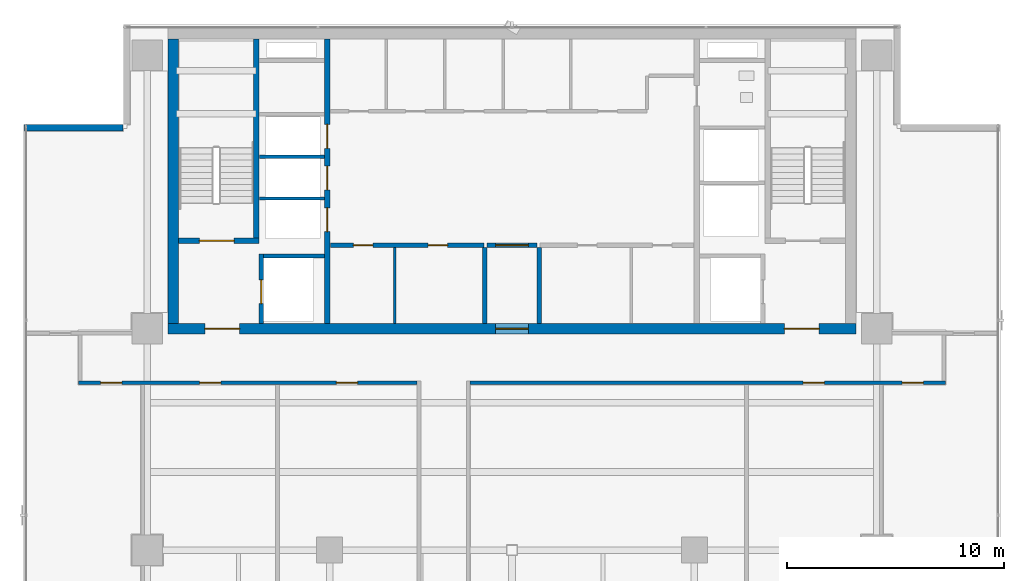
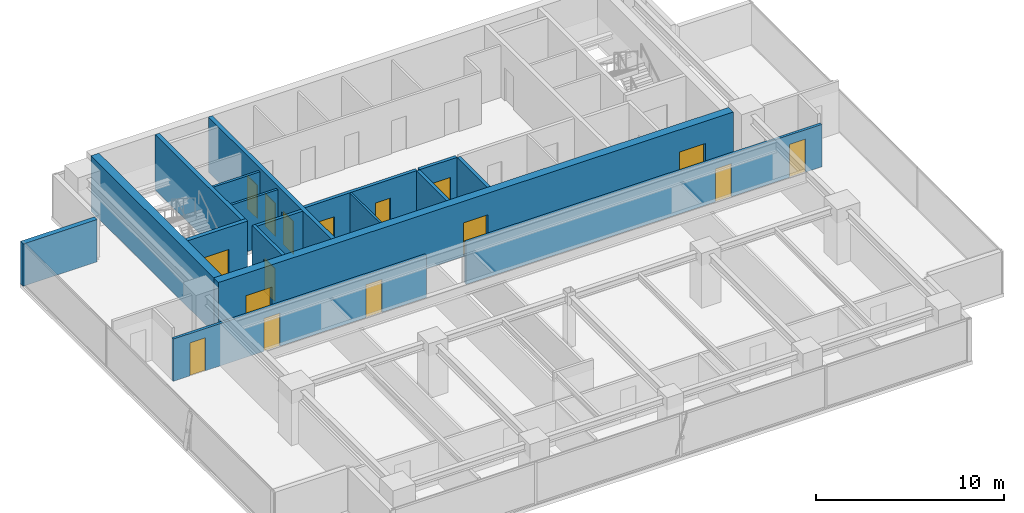
# One storey, part 20 of 26: 17 walls, 16 doors, 16 openings.
"""IFC4 building model written with IfcOpenShell, lengths in metres."""

from ifc_helpers import new_model, si_unit, direction, frame, frame_2d, origin, place, context, subcontext, project, spatial, rectangle, extrude, source, transform, mapped, material, layer, layer_set, type_object, element, fill, save


model = new_model("IFC4")

# Units and contexts
model_context = context("Model", 3, precision=1e-05, world=origin(), true_north=direction((0.0, 1.0)))
body_context = subcontext(model_context, "Body", "Model", "MODEL_VIEW")
ifc_project = project(units=[si_unit("LENGTHUNIT", "METRE"), si_unit("AREAUNIT", "SQUARE_METRE"), si_unit("VOLUMEUNIT", "CUBIC_METRE"), si_unit("PLANEANGLEUNIT", "RADIAN"), si_unit("MASSUNIT", "GRAM", prefix="KILO")], contexts=[model_context])

# Site, building, storey
site_placement = place(None, origin())
site = spatial("IfcSite", under=ifc_project, at=site_placement, CompositionType="ELEMENT")
building_placement = place(site_placement, origin())
building = spatial("IfcBuilding", under=site, at=building_placement, Name="Sumidabori Civic Tower", CompositionType="ELEMENT")
storey_placement = place(building_placement, frame((0.0, 0.0, 254.0)))
storey = spatial("IfcBuildingStorey", under=building, at=storey_placement, Name="L66", CompositionType="ELEMENT", Elevation=254.0)

# Wall
ifc_material_1 = material(Name="Concrete C50/60", Category="concrete")
ifc_layer_1 = layer(ifc_material_1, 0.199951171875, Name="Concrete C50/60")
ifc_layer_set_1 = layer_set([ifc_layer_1], Name="Concrete C50/60")
wall_type_1 = type_object("IfcWallType", Name="WL-SHAFT-200", PredefinedType="SHEAR", material=ifc_layer_set_1)
shared_shape_1 = source(origin(), body_context, "Body", "SweptSolid", [
    extrude(rectangle(XDim=2.824951171875, YDim=0.199951171875, at=frame_2d((1.41259765625, 0.0))), origin(), (0.0, 0.0, 1.0), 3.60009765625),
])
wall_1_placement = place(storey_placement, frame((-11.449951171875, 13.550048828125, 0.0), z_axis=(0.0, 0.0, 1.0), x_axis=(1.0, 0.0, 0.0)))
element("IfcWall", 1, at=wall_1_placement, inside=storey, type_object=wall_type_1, Name="Core Shear Wall L66 EL1-N", PredefinedType="SHEAR", context=body_context, shape_type="MappedRepresentation", body=[
    mapped(shared_shape_1, transform((0.0, 0.0, 0.0), x_axis=(1.0, 0.0, 0.0), y_axis=(0.0, 1.0, 0.0), z_axis=(0.0, 0.0, 1.0), scale=1.0)),
])

# Wall, openings, doors
ifc_layer_2 = layer(ifc_material_1, 0.5, Name="Concrete C50/60")
ifc_layer_set_2 = layer_set([ifc_layer_2], Name="Concrete C50/60")
wall_type_2 = type_object("IfcWallType", Name="WL-CORE-500", PredefinedType="SHEAR", material=ifc_layer_set_2)
shared_shape_2 = source(origin(), body_context, "Body", "SweptSolid", [
    extrude(rectangle(XDim=31.7001953125, YDim=0.5, at=frame_2d((15.85009765625, 0.0))), origin(), (0.0, 0.0, 1.0), 3.60009765625),
])
wall_2_placement = place(storey_placement, frame((-15.85009765625, 10.199951171875, 0.0), z_axis=(0.0, 0.0, 1.0), x_axis=(1.0, 0.0, 0.0)))
wall_2 = element("IfcWall", 2, at=wall_2_placement, inside=storey, type_object=wall_type_2, Name="Core Shear Wall L66 S", PredefinedType="SHEAR", context=body_context, shape_type="MappedRepresentation", body=[
    mapped(shared_shape_2, transform((0.0, 0.0, 0.0), x_axis=(1.0, 0.0, 0.0), y_axis=(0.0, 1.0, 0.0), z_axis=(0.0, 0.0, 1.0), scale=1.0)),
])
opening_1_placement = place(wall_2_placement, frame((1.699951171875, 0.0, 0.0)))
opening_1 = element("IfcOpeningElement", 3, at=opening_1_placement, cuts=wall_2, Name="Opening DR-FD4", PredefinedType="OPENING", context=body_context, shape_type="SweptSolid", body=[
    extrude(rectangle(XDim=1.60009765625, YDim=2.14990234375, at=frame_2d((0.800048828125, 1.074951171875))), frame((0.0, 0.261962890625, 0.0), z_axis=(0.0, -1.0, 0.0), x_axis=(1.0, 0.0, 0.0)), (0.0, 0.0, 1.0), 0.52392578125),
])
opening_2_placement = place(wall_2_placement, frame((28.39990234375, 0.0, 0.0)))
opening_2 = element("IfcOpeningElement", 4, at=opening_2_placement, cuts=wall_2, Name="Opening DR-FD4", PredefinedType="OPENING", context=body_context, shape_type="SweptSolid", body=[
    extrude(rectangle(XDim=1.60009765625, YDim=2.14990234375, at=frame_2d((0.800048828125, 1.074951171875))), frame((0.0, 0.261962890625, 0.0), z_axis=(0.0, -1.0, 0.0), x_axis=(1.0, 0.0, 0.0)), (0.0, 0.0, 1.0), 0.52392578125),
])
opening_3_placement = place(wall_2_placement, frame((15.10009765625, 0.0, 0.0)))
opening_3 = element("IfcOpeningElement", 5, at=opening_3_placement, cuts=wall_2, Name="Opening DR-FD3", PredefinedType="OPENING", context=body_context, shape_type="SweptSolid", body=[
    extrude(rectangle(XDim=1.5, YDim=2.199951171875, at=frame_2d((0.75, 1.10009765625))), frame((0.0, 0.261962890625, 0.0), z_axis=(0.0, -1.0, 0.0), x_axis=(1.0, 0.0, 0.0)), (0.0, 0.0, 1.0), 0.52392578125),
])
ifc_material_2 = material(Name="Steel SN490", Category="steel")
door_type_1 = type_object("IfcDoorType", Name="DR-FD4", OperationType="DOUBLE_DOOR_SINGLE_SWING", PredefinedType="DOOR", material=ifc_material_2)
shared_shape_3 = source(origin(), body_context, "Body", "SweptSolid", [
    extrude(rectangle(XDim=1.60009765625, YDim=2.14990234375, at=frame_2d((0.800048828125, 1.074951171875))), frame((0.0, 0.02490234375, 0.0), z_axis=(0.0, -1.0, 0.0), x_axis=(1.0, 0.0, 0.0)), (0.0, 0.0, 1.0), 0.050048828125),
])
door_1_placement = place(opening_1_placement, origin())
door_1 = element("IfcDoor", 6, at=door_1_placement, inside=storey, type_object=door_type_1, Name="Door DR:L66:ELOB-W", OperationType="DOUBLE_DOOR_SINGLE_SWING", OverallHeight=2.14990234375, OverallWidth=1.60009765625, PredefinedType="DOOR", context=body_context, shape_type="MappedRepresentation", body=[
    mapped(shared_shape_3, transform((0.0, 0.0, 0.0), x_axis=(1.0, 0.0, 0.0), y_axis=(0.0, 1.0, 0.0), z_axis=(0.0, 0.0, 1.0), scale=1.0)),
])
fill(opening_1, door_1)
door_2_placement = place(opening_2_placement, origin())
door_2 = element("IfcDoor", 7, at=door_2_placement, inside=storey, type_object=door_type_1, Name="Door DR:L66:ELOB-E", OperationType="DOUBLE_DOOR_SINGLE_SWING", OverallHeight=2.14990234375, OverallWidth=1.60009765625, PredefinedType="DOOR", context=body_context, shape_type="MappedRepresentation", body=[
    mapped(shared_shape_3, transform((0.0, 0.0, 0.0), x_axis=(1.0, 0.0, 0.0), y_axis=(0.0, 1.0, 0.0), z_axis=(0.0, 0.0, 1.0), scale=1.0)),
])
fill(opening_2, door_2)
door_type_2 = type_object("IfcDoorType", Name="DR-FD-DBL", OperationType="DOUBLE_DOOR_SINGLE_SWING", PredefinedType="DOOR", material=ifc_material_2)
shared_shape_4 = source(origin(), body_context, "Body", "SweptSolid", [
    extrude(rectangle(XDim=1.5, YDim=2.199951171875, at=frame_2d((0.75, 1.10009765625))), frame((0.0, 0.02490234375, 0.0), z_axis=(0.0, -1.0, 0.0), x_axis=(1.0, 0.0, 0.0)), (0.0, 0.0, 1.0), 0.050048828125),
])
door_3_placement = place(opening_3_placement, origin())
door_3 = element("IfcDoor", 8, at=door_3_placement, inside=storey, type_object=door_type_2, Name="Door DR:L66:THROAT-OUT", OperationType="DOUBLE_DOOR_SINGLE_SWING", OverallHeight=2.199951171875, OverallWidth=1.5, PredefinedType="DOOR", context=body_context, shape_type="MappedRepresentation", body=[
    mapped(shared_shape_4, transform((0.0, 0.0, 0.0), x_axis=(1.0, 0.0, 0.0), y_axis=(0.0, 1.0, 0.0), z_axis=(0.0, 0.0, 1.0), scale=1.0)),
])
fill(opening_3, door_3)

# Wall
shared_shape_5 = source(origin(), body_context, "Body", "SweptSolid", [
    extrude(rectangle(XDim=13.10009765625, YDim=0.5, at=frame_2d((6.550048828125, 0.0))), origin(), (0.0, 0.0, 1.0), 3.60009765625),
])
wall_3_placement = place(storey_placement, frame((-15.60009765625, 10.449951171875, 0.0), z_axis=(0.0, 0.0, 1.0), x_axis=(0.0, 1.0, 0.0)))
element("IfcWall", 9, at=wall_3_placement, inside=storey, type_object=wall_type_2, Name="Core Shear Wall L66 W", PredefinedType="SHEAR", context=body_context, shape_type="MappedRepresentation", body=[
    mapped(shared_shape_5, transform((0.0, 0.0, 0.0), x_axis=(1.0, 0.0, 0.0), y_axis=(0.0, 1.0, 0.0), z_axis=(0.0, 0.0, 1.0), scale=1.0)),
])

# Wall, openings, doors
ifc_layer_3 = layer(ifc_material_1, 0.25, Name="Concrete C50/60")
ifc_layer_set_3 = layer_set([ifc_layer_3], Name="Concrete C50/60")
wall_type_3 = type_object("IfcWallType", Name="WL-SHAFT-250", PredefinedType="SHEAR", material=ifc_layer_set_3)
shared_shape_6 = source(origin(), body_context, "Body", "SweptSolid", [
    extrude(rectangle(XDim=13.10009765625, YDim=0.25, at=frame_2d((6.550048828125, 0.0))), origin(), (0.0, 0.0, 1.0), 3.60009765625),
])
wall_4_placement = place(storey_placement, frame((-8.5, 10.449951171875, 0.0), z_axis=(0.0, 0.0, 1.0), x_axis=(0.0, 1.0, 0.0)))
wall_4 = element("IfcWall", 10, at=wall_4_placement, inside=storey, type_object=wall_type_3, Name="Core Shear Wall L66 WEB-W", PredefinedType="SHEAR", context=body_context, shape_type="MappedRepresentation", body=[
    mapped(shared_shape_6, transform((0.0, 0.0, 0.0), x_axis=(1.0, 0.0, 0.0), y_axis=(0.0, 1.0, 0.0), z_axis=(0.0, 0.0, 1.0), scale=1.0)),
])
opening_4_placement = place(wall_4_placement, frame((4.219970703125, 0.0, 0.0)))
opening_4 = element("IfcOpeningElement", 11, at=opening_4_placement, cuts=wall_4, Name="Opening LD-1", PredefinedType="OPENING", context=body_context, shape_type="SweptSolid", body=[
    extrude(rectangle(XDim=1.10009765625, YDim=2.14990234375, at=frame_2d((0.550048828125, 1.074951171875))), frame((0.0, 0.136962890625, 0.0), z_axis=(0.0, -1.0, 0.0), x_axis=(1.0, 0.0, 0.0)), (0.0, 0.0, 1.0), 0.27392578125),
])
opening_5_placement = place(wall_4_placement, frame((6.139892578125, 0.0, 0.0)))
opening_5 = element("IfcOpeningElement", 12, at=opening_5_placement, cuts=wall_4, Name="Opening LD-1", PredefinedType="OPENING", context=body_context, shape_type="SweptSolid", body=[
    extrude(rectangle(XDim=1.10009765625, YDim=2.14990234375, at=frame_2d((0.550048828125, 1.074951171875))), frame((0.0, 0.136962890625, 0.0), z_axis=(0.0, -1.0, 0.0), x_axis=(1.0, 0.0, 0.0)), (0.0, 0.0, 1.0), 0.27392578125),
])
opening_6_placement = place(wall_4_placement, frame((8.06005859375, 0.0, 0.0)))
opening_6 = element("IfcOpeningElement", 13, at=opening_6_placement, cuts=wall_4, Name="Opening LD-1", PredefinedType="OPENING", context=body_context, shape_type="SweptSolid", body=[
    extrude(rectangle(XDim=1.10009765625, YDim=2.14990234375, at=frame_2d((0.550048828125, 1.074951171875))), frame((0.0, 0.136962890625, 0.0), z_axis=(0.0, -1.0, 0.0), x_axis=(1.0, 0.0, 0.0)), (0.0, 0.0, 1.0), 0.27392578125),
])
ifc_material_3 = material(Name="Stainless Steel Hairline Finish", Category="steel")
door_type_3 = type_object("IfcDoorType", Name="DR-LD1", OperationType="DOUBLE_DOOR_SLIDING", PredefinedType="DOOR", material=ifc_material_3)
shared_shape_7 = source(origin(), body_context, "Body", "SweptSolid", [
    extrude(rectangle(XDim=1.10009765625, YDim=2.14990234375, at=frame_2d((0.550048828125, 1.074951171875))), frame((0.0, 0.02490234375, 0.0), z_axis=(0.0, -1.0, 0.0), x_axis=(1.0, 0.0, 0.0)), (0.0, 0.0, 1.0), 0.050048828125),
])
door_4_placement = place(opening_4_placement, origin())
door_4 = element("IfcDoor", 14, at=door_4_placement, inside=storey, type_object=door_type_3, Name="Door DR:L66:LD-PLH1", OperationType="DOUBLE_DOOR_SLIDING", OverallHeight=2.14990234375, OverallWidth=1.10009765625, PredefinedType="DOOR", context=body_context, shape_type="MappedRepresentation", body=[
    mapped(shared_shape_7, transform((0.0, 0.0, 0.0), x_axis=(1.0, 0.0, 0.0), y_axis=(0.0, 1.0, 0.0), z_axis=(0.0, 0.0, 1.0), scale=1.0)),
])
fill(opening_4, door_4)
door_5_placement = place(opening_5_placement, origin())
door_5 = element("IfcDoor", 15, at=door_5_placement, inside=storey, type_object=door_type_3, Name="Door DR:L66:LD-PLH2", OperationType="DOUBLE_DOOR_SLIDING", OverallHeight=2.14990234375, OverallWidth=1.10009765625, PredefinedType="DOOR", context=body_context, shape_type="MappedRepresentation", body=[
    mapped(shared_shape_7, transform((0.0, 0.0, 0.0), x_axis=(1.0, 0.0, 0.0), y_axis=(0.0, 1.0, 0.0), z_axis=(0.0, 0.0, 1.0), scale=1.0)),
])
fill(opening_5, door_5)
door_6_placement = place(opening_6_placement, origin())
door_6 = element("IfcDoor", 16, at=door_6_placement, inside=storey, type_object=door_type_3, Name="Door DR:L66:LD-PLH3", OperationType="DOUBLE_DOOR_SLIDING", OverallHeight=2.14990234375, OverallWidth=1.10009765625, PredefinedType="DOOR", context=body_context, shape_type="MappedRepresentation", body=[
    mapped(shared_shape_7, transform((0.0, 0.0, 0.0), x_axis=(1.0, 0.0, 0.0), y_axis=(0.0, 1.0, 0.0), z_axis=(0.0, 0.0, 1.0), scale=1.0)),
])
fill(opening_6, door_6)

# Wall, opening, door
shared_shape_8 = source(origin(), body_context, "Body", "SweptSolid", [
    extrude(rectangle(XDim=3.705078125, YDim=0.25, at=frame_2d((1.8525390625, 0.0))), origin(), (0.0, 0.0, 1.0), 3.60009765625),
])
wall_5_placement = place(storey_placement, frame((-15.35009765625, 14.25, 0.0), z_axis=(0.0, 0.0, 1.0), x_axis=(1.0, 0.0, 0.0)))
wall_5 = element("IfcWall", 17, at=wall_5_placement, inside=storey, type_object=wall_type_3, Name="Core Shear Wall L66 ST1-S", PredefinedType="SHEAR", context=body_context, shape_type="MappedRepresentation", body=[
    mapped(shared_shape_8, transform((0.0, 0.0, 0.0), x_axis=(1.0, 0.0, 0.0), y_axis=(0.0, 1.0, 0.0), z_axis=(0.0, 0.0, 1.0), scale=1.0)),
])
opening_7_placement = place(wall_5_placement, frame((0.949951171875, 0.0, 0.0)))
opening_7 = element("IfcOpeningElement", 18, at=opening_7_placement, cuts=wall_5, Name="Opening DR-FD4", PredefinedType="OPENING", context=body_context, shape_type="SweptSolid", body=[
    extrude(rectangle(XDim=1.60009765625, YDim=2.14990234375, at=frame_2d((0.800048828125, 1.074951171875))), frame((0.0, 0.136962890625, 0.0), z_axis=(0.0, -1.0, 0.0), x_axis=(1.0, 0.0, 0.0)), (0.0, 0.0, 1.0), 0.27392578125),
])
door_7_placement = place(opening_7_placement, origin())
door_7 = element("IfcDoor", 19, at=door_7_placement, inside=storey, type_object=door_type_1, Name="Door DR:L66:ST1", OperationType="DOUBLE_DOOR_SINGLE_SWING", OverallHeight=2.14990234375, OverallWidth=1.60009765625, PredefinedType="DOOR", context=body_context, shape_type="MappedRepresentation", body=[
    mapped(shared_shape_3, transform((0.0, 0.0, 0.0), x_axis=(1.0, 0.0, 0.0), y_axis=(0.0, 1.0, 0.0), z_axis=(0.0, 0.0, 1.0), scale=1.0)),
])
fill(opening_7, door_7)

# Wall
shared_shape_9 = source(origin(), body_context, "Body", "SweptSolid", [
    extrude(rectangle(XDim=9.175048828125, YDim=0.25, at=frame_2d((4.58740234375, 0.0))), origin(), (0.0, 0.0, 1.0), 3.60009765625),
])
wall_6_placement = place(storey_placement, frame((-11.77001953125, 14.375, 0.0), z_axis=(0.0, 0.0, 1.0), x_axis=(0.0, 1.0, 0.0)))
element("IfcWall", 20, at=wall_6_placement, inside=storey, type_object=wall_type_3, Name="Core Shear Wall L66 ST1-E", PredefinedType="SHEAR", context=body_context, shape_type="MappedRepresentation", body=[
    mapped(shared_shape_9, transform((0.0, 0.0, 0.0), x_axis=(1.0, 0.0, 0.0), y_axis=(0.0, 1.0, 0.0), z_axis=(0.0, 0.0, 1.0), scale=1.0)),
])

# Wall, opening, door
shared_shape_10 = source(origin(), body_context, "Body", "SweptSolid", [
    extrude(rectangle(XDim=3.199951171875, YDim=0.199951171875, at=frame_2d((1.60009765625, 0.0))), origin(), (0.0, 0.0, 1.0), 3.60009765625),
])
wall_7_placement = place(storey_placement, frame((-11.550048828125, 10.449951171875, 0.0), z_axis=(0.0, 0.0, 1.0), x_axis=(0.0, 1.0, 0.0)))
wall_7 = element("IfcWall", 21, at=wall_7_placement, inside=storey, type_object=wall_type_1, Name="Core Shear Wall L66 EL1-W", PredefinedType="SHEAR", context=body_context, shape_type="MappedRepresentation", body=[
    mapped(shared_shape_10, transform((0.0, 0.0, 0.0), x_axis=(1.0, 0.0, 0.0), y_axis=(0.0, 1.0, 0.0), z_axis=(0.0, 0.0, 1.0), scale=1.0)),
])
opening_8_placement = place(wall_7_placement, frame((0.89990234375, 0.0, 0.0)))
opening_8 = element("IfcOpeningElement", 22, at=opening_8_placement, cuts=wall_7, Name="Opening LD-2", PredefinedType="OPENING", context=body_context, shape_type="SweptSolid", body=[
    extrude(rectangle(XDim=1.10009765625, YDim=2.14990234375, at=frame_2d((0.550048828125, 1.074951171875))), frame((0.0, 0.11181640625, 0.0), z_axis=(0.0, -1.0, 0.0), x_axis=(1.0, 0.0, 0.0)), (0.0, 0.0, 1.0), 0.223876953125),
])
door_type_4 = type_object("IfcDoorType", Name="DR-LD2", OperationType="DOUBLE_DOOR_SLIDING", PredefinedType="DOOR", material=ifc_material_3)
door_8_placement = place(opening_8_placement, origin())
door_8 = element("IfcDoor", 23, at=door_8_placement, inside=storey, type_object=door_type_4, Name="Door DR:L66:LD-EL1", OperationType="DOUBLE_DOOR_SLIDING", OverallHeight=2.14990234375, OverallWidth=1.10009765625, PredefinedType="DOOR", context=body_context, shape_type="MappedRepresentation", body=[
    mapped(shared_shape_7, transform((0.0, 0.0, 0.0), x_axis=(1.0, 0.0, 0.0), y_axis=(0.0, 1.0, 0.0), z_axis=(0.0, 0.0, 1.0), scale=1.0)),
])
fill(opening_8, door_8)

# Walls
ifc_material_4 = material(Name="Precast concrete C40/50", Category="concrete")
ifc_layer_4 = layer(ifc_material_4, 0.300048828125, Name="Precast concrete C40/50")
ifc_layer_set_4 = layer_set([ifc_layer_4], Name="Precast concrete C40/50")
wall_type_4 = type_object("IfcWallType", Name="WL-EXT-POD300", PredefinedType="STANDARD", material=ifc_layer_set_4)
shared_shape_11 = source(origin(), body_context, "Body", "SweptSolid", [
    extrude(rectangle(XDim=4.56005859375, YDim=0.300048828125, at=frame_2d((2.280029296875, 0.0))), origin(), (0.0, 0.0, 1.0), 2.75),
])
wall_8_placement = place(storey_placement, frame((-17.919921875, 19.449951171875, 0.0), z_axis=(0.0, 0.0, 1.0), x_axis=(-1.0, 0.0, 0.0)))
element("IfcWall", 24, at=wall_8_placement, inside=storey, type_object=wall_type_4, Name="Notched Corner Spandrel Band L66-09", PredefinedType="STANDARD", context=body_context, shape_type="MappedRepresentation", body=[
    mapped(shared_shape_11, transform((0.0, 0.0, 0.0), x_axis=(1.0, 0.0, 0.0), y_axis=(0.0, 1.0, 0.0), z_axis=(0.0, 0.0, 1.0), scale=1.0)),
])
ifc_material_5 = material(Name="Gypsum Plasterboard Acoustic Partition")
ifc_layer_5 = layer(ifc_material_5, 0.14990234375, Name="Gypsum Plasterboard Acoustic Partition")
ifc_layer_set_5 = layer_set([ifc_layer_5], Name="Gypsum Plasterboard Acoustic Partition")
wall_type_5 = type_object("IfcWallType", Name="WL-PART-150", PredefinedType="PARTITIONING", material=ifc_layer_set_5)
shared_shape_12 = source(origin(), body_context, "Body", "SweptSolid", [
    extrude(rectangle(XDim=3.010009765625, YDim=0.14990234375, at=frame_2d((1.5048828125, 0.0))), origin(), (0.0, 0.0, 1.0), 3.3701171875),
])
for number, where, z_axis, x_axis, name in (
    (25, (-11.639892578125, 16.199951171875, 0.0), (0.0, 0.0, 1.0), (1.0, 0.0, 0.0), "Interior Partition WL:L66:DIV-PLH1"),
    (26, (-11.639892578125, 18.1201171875, 0.0), (0.0, 0.0, 1.0), (1.0, 0.0, 0.0), "Interior Partition WL:L66:DIV-PLH2"),
):
    element("IfcWall", number, at=place(storey_placement, frame(where, z_axis=z_axis, x_axis=x_axis)), inside=storey, type_object=wall_type_5, Name=name, PredefinedType="PARTITIONING", context=body_context, shape_type="MappedRepresentation", body=[
        mapped(shared_shape_12, transform((0.0, 0.0, 0.0), x_axis=(1.0, 0.0, 0.0), y_axis=(0.0, 1.0, 0.0), z_axis=(0.0, 0.0, 1.0), scale=1.0)),
    ])

# Wall, openings, doors
ifc_material_6 = material(Name="Gypsum Plasterboard Fire Partition")
ifc_layer_6 = layer(ifc_material_6, 0.199951171875, Name="Gypsum Plasterboard Fire Partition")
ifc_layer_set_6 = layer_set([ifc_layer_6], Name="Gypsum Plasterboard Fire Partition")
wall_type_6 = type_object("IfcWallType", Name="WL-PART-FIRE", PredefinedType="PARTITIONING", material=ifc_layer_set_6)
shared_shape_13 = source(origin(), body_context, "Body", "SweptSolid", [
    extrude(rectangle(XDim=7.070068359375, YDim=0.199951171875, at=frame_2d((3.53515625, 0.0))), origin(), (0.0, 0.0, 1.0), 3.3701171875),
])
wall_9_placement = place(storey_placement, frame((-8.3701171875, 14.050048828125, 0.0), z_axis=(0.0, 0.0, 1.0), x_axis=(1.0, 0.0, 0.0)))
wall_9 = element("IfcWall", 27, at=wall_9_placement, inside=storey, type_object=wall_type_6, Name="Interior Partition WL:L66:CBAND-SW", PredefinedType="PARTITIONING", context=body_context, shape_type="MappedRepresentation", body=[
    mapped(shared_shape_13, transform((0.0, 0.0, 0.0), x_axis=(1.0, 0.0, 0.0), y_axis=(0.0, 1.0, 0.0), z_axis=(0.0, 0.0, 1.0), scale=1.0)),
])
opening_9_placement = place(wall_9_placement, frame((1.06005859375, 0.0, 0.0)))
opening_9 = element("IfcOpeningElement", 28, at=opening_9_placement, cuts=wall_9, Name="Opening DR-1", PredefinedType="OPENING", context=body_context, shape_type="SweptSolid", body=[
    extrude(rectangle(XDim=0.89990234375, YDim=2.14990234375, at=frame_2d((0.449951171875, 1.074951171875))), frame((0.0, 0.11181640625, 0.0), z_axis=(0.0, -1.0, 0.0), x_axis=(1.0, 0.0, 0.0)), (0.0, 0.0, 1.0), 0.223876953125),
])
opening_10_placement = place(wall_9_placement, frame((4.510009765625, 0.0, 0.0)))
opening_10 = element("IfcOpeningElement", 29, at=opening_10_placement, cuts=wall_9, Name="Opening DR-1", PredefinedType="OPENING", context=body_context, shape_type="SweptSolid", body=[
    extrude(rectangle(XDim=0.89990234375, YDim=2.14990234375, at=frame_2d((0.449951171875, 1.074951171875))), frame((0.0, 0.11181640625, 0.0), z_axis=(0.0, -1.0, 0.0), x_axis=(1.0, 0.0, 0.0)), (0.0, 0.0, 1.0), 0.223876953125),
])
ifc_material_7 = material(Name="Japanese Hinoki Timber", Category="wood")
door_type_5 = type_object("IfcDoorType", Name="DR-INT-900", OperationType="NOTDEFINED", PredefinedType="DOOR", material=ifc_material_7)
shared_shape_14 = source(origin(), body_context, "Body", "SweptSolid", [
    extrude(rectangle(XDim=0.89990234375, YDim=2.14990234375, at=frame_2d((0.449951171875, 1.074951171875))), frame((0.0, 0.02490234375, 0.0), z_axis=(0.0, -1.0, 0.0), x_axis=(1.0, 0.0, 0.0)), (0.0, 0.0, 1.0), 0.050048828125),
])
door_9_placement = place(opening_9_placement, origin())
door_9 = element("IfcDoor", 30, at=door_9_placement, inside=storey, type_object=door_type_5, Name="Door DR:L66:REC-B1A", OperationType="SINGLE_SWING_LEFT", OverallHeight=2.14990234375, OverallWidth=0.89990234375, PredefinedType="DOOR", context=body_context, shape_type="MappedRepresentation", body=[
    mapped(shared_shape_14, transform((0.0, 0.0, 0.0), x_axis=(1.0, 0.0, 0.0), y_axis=(0.0, 1.0, 0.0), z_axis=(0.0, 0.0, 1.0), scale=1.0)),
])
fill(opening_9, door_9)
door_10_placement = place(opening_10_placement, origin())
door_10 = element("IfcDoor", 31, at=door_10_placement, inside=storey, type_object=door_type_5, Name="Door DR:L66:REC-B1B", OperationType="SINGLE_SWING_RIGHT", OverallHeight=2.14990234375, OverallWidth=0.89990234375, PredefinedType="DOOR", context=body_context, shape_type="MappedRepresentation", body=[
    mapped(shared_shape_14, transform((0.0, 0.0, 0.0), x_axis=(1.0, 0.0, 0.0), y_axis=(0.0, 1.0, 0.0), z_axis=(0.0, 0.0, 1.0), scale=1.0)),
])
fill(opening_10, door_10)

# Walls
shared_shape_15 = source(origin(), body_context, "Body", "SweptSolid", [
    extrude(rectangle(XDim=3.489990234375, YDim=0.199951171875, at=frame_2d((1.7451171875, 0.0))), origin(), (0.0, 0.0, 1.0), 3.3701171875),
])
for number, where, z_axis, x_axis, name in (
    (32, (-1.25, 10.449951171875, 0.0), (0.0, 0.0, 1.0), (0.0, 1.0, 0.0), "Interior Partition WL:L66:THROAT-W"),
    (33, (1.25, 10.449951171875, 0.0), (0.0, 0.0, 1.0), (0.0, 1.0, 0.0), "Interior Partition WL:L66:THROAT-E"),
):
    element("IfcWall", number, at=place(storey_placement, frame(where, z_axis=z_axis, x_axis=x_axis)), inside=storey, type_object=wall_type_6, Name=name, PredefinedType="PARTITIONING", context=body_context, shape_type="MappedRepresentation", body=[
        mapped(shared_shape_15, transform((0.0, 0.0, 0.0), x_axis=(1.0, 0.0, 0.0), y_axis=(0.0, 1.0, 0.0), z_axis=(0.0, 0.0, 1.0), scale=1.0)),
    ])

# Wall, opening, door
shared_shape_16 = source(origin(), body_context, "Body", "SweptSolid", [
    extrude(rectangle(XDim=2.2998046875, YDim=0.199951171875, at=frame_2d((1.14990234375, 0.0))), origin(), (0.0, 0.0, 1.0), 3.3701171875),
])
wall_10_placement = place(storey_placement, frame((-1.14990234375, 14.050048828125, 0.0), z_axis=(0.0, 0.0, 1.0), x_axis=(1.0, 0.0, 0.0)))
wall_10 = element("IfcWall", 34, at=wall_10_placement, inside=storey, type_object=wall_type_6, Name="Interior Partition WL:L66:THROAT-N", PredefinedType="PARTITIONING", context=body_context, shape_type="MappedRepresentation", body=[
    mapped(shared_shape_16, transform((0.0, 0.0, 0.0), x_axis=(1.0, 0.0, 0.0), y_axis=(0.0, 1.0, 0.0), z_axis=(0.0, 0.0, 1.0), scale=1.0)),
])
opening_11_placement = place(wall_10_placement, frame((0.39990234375, 0.0, 0.0)))
opening_11 = element("IfcOpeningElement", 35, at=opening_11_placement, cuts=wall_10, Name="Opening DR-FD3", PredefinedType="OPENING", context=body_context, shape_type="SweptSolid", body=[
    extrude(rectangle(XDim=1.5, YDim=2.199951171875, at=frame_2d((0.75, 1.10009765625))), frame((0.0, 0.11181640625, 0.0), z_axis=(0.0, -1.0, 0.0), x_axis=(1.0, 0.0, 0.0)), (0.0, 0.0, 1.0), 0.223876953125),
])
door_11_placement = place(opening_11_placement, origin())
door_11 = element("IfcDoor", 36, at=door_11_placement, inside=storey, type_object=door_type_2, Name="Door DR:L66:THROAT-IN", OperationType="DOUBLE_DOOR_SINGLE_SWING", OverallHeight=2.199951171875, OverallWidth=1.5, PredefinedType="DOOR", context=body_context, shape_type="MappedRepresentation", body=[
    mapped(shared_shape_4, transform((0.0, 0.0, 0.0), x_axis=(1.0, 0.0, 0.0), y_axis=(0.0, 1.0, 0.0), z_axis=(0.0, 0.0, 1.0), scale=1.0)),
])
fill(opening_11, door_11)

# Wall
ifc_layer_7 = layer(ifc_material_5, 0.1201171875, Name="Gypsum Plasterboard Acoustic Partition")
ifc_layer_set_7 = layer_set([ifc_layer_7], Name="Gypsum Plasterboard Acoustic Partition")
wall_type_7 = type_object("IfcWallType", Name="WL-PART-120", PredefinedType="PARTITIONING", material=ifc_layer_set_7)
shared_shape_17 = source(origin(), body_context, "Body", "SweptSolid", [
    extrude(rectangle(XDim=3.489990234375, YDim=0.1201171875, at=frame_2d((1.7451171875, 0.0))), origin(), (0.0, 0.0, 1.0), 3.3701171875),
])
wall_11_placement = place(storey_placement, frame((-5.39990234375, 10.449951171875, 0.0), z_axis=(0.0, 0.0, 1.0), x_axis=(0.0, 1.0, 0.0)))
element("IfcWall", 37, at=wall_11_placement, inside=storey, type_object=wall_type_7, Name="Interior Partition WL:L66:REC-B1-SP", PredefinedType="PARTITIONING", context=body_context, shape_type="MappedRepresentation", body=[
    mapped(shared_shape_17, transform((0.0, 0.0, 0.0), x_axis=(1.0, 0.0, 0.0), y_axis=(0.0, 1.0, 0.0), z_axis=(0.0, 0.0, 1.0), scale=1.0)),
])

# Wall, openings, doors
ifc_layer_8 = layer(ifc_material_5, 0.1650390625, Name="Gypsum Plasterboard Acoustic Partition")
ifc_layer_set_8 = layer_set([ifc_layer_8], Name="Gypsum Plasterboard Acoustic Partition")
wall_type_8 = type_object("IfcWallType", Name="WL-PART-165", PredefinedType="PARTITIONING", material=ifc_layer_set_8)
shared_shape_18 = source(origin(), body_context, "Body", "SweptSolid", [
    extrude(rectangle(XDim=15.60009765625, YDim=0.1650390625, at=frame_2d((7.800048828125, 0.0))), origin(), (0.0, 0.0, 1.0), 2.7548828125),
])
wall_12_placement = place(storey_placement, frame((-19.965087890625, 7.717529296875, 0.0), z_axis=(0.0, 0.0, 1.0), x_axis=(1.0, 0.0, 0.0)))
wall_12 = element("IfcWall", 38, at=wall_12_placement, inside=storey, type_object=wall_type_8, Name="Interior Partition WL:L66:CORR-SW", PredefinedType="PARTITIONING", context=body_context, shape_type="MappedRepresentation", body=[
    mapped(shared_shape_18, transform((0.0, 0.0, 0.0), x_axis=(1.0, 0.0, 0.0), y_axis=(0.0, 1.0, 0.0), z_axis=(0.0, 0.0, 1.0), scale=1.0)),
])
opening_12_placement = place(wall_12_placement, frame((1.013916015625, 0.0, 0.0)))
opening_12 = element("IfcOpeningElement", 39, at=opening_12_placement, cuts=wall_12, Name="Opening DR-3", PredefinedType="OPENING", context=body_context, shape_type="SweptSolid", body=[
    extrude(rectangle(XDim=0.97998046875, YDim=2.14990234375, at=frame_2d((0.489990234375, 1.074951171875))), frame((0.0, 0.094482421875, 0.0), z_axis=(0.0, -1.0, 0.0), x_axis=(1.0, 0.0, 0.0)), (0.0, 0.0, 1.0), 0.18896484375),
])
opening_13_placement = place(wall_12_placement, frame((5.574951171875, 0.0, 0.0)))
opening_13 = element("IfcOpeningElement", 40, at=opening_13_placement, cuts=wall_12, Name="Opening DR-3", PredefinedType="OPENING", context=body_context, shape_type="SweptSolid", body=[
    extrude(rectangle(XDim=0.97998046875, YDim=2.14990234375, at=frame_2d((0.489990234375, 1.074951171875))), frame((0.0, 0.094482421875, 0.0), z_axis=(0.0, -1.0, 0.0), x_axis=(1.0, 0.0, 0.0)), (0.0, 0.0, 1.0), 0.18896484375),
])
opening_14_placement = place(wall_12_placement, frame((11.873779296875, 0.0, 0.0)))
opening_14 = element("IfcOpeningElement", 41, at=opening_14_placement, cuts=wall_12, Name="Opening DR-3", PredefinedType="OPENING", context=body_context, shape_type="SweptSolid", body=[
    extrude(rectangle(XDim=0.97998046875, YDim=2.14990234375, at=frame_2d((0.489990234375, 1.074951171875))), frame((0.0, 0.094482421875, 0.0), z_axis=(0.0, -1.0, 0.0), x_axis=(1.0, 0.0, 0.0)), (0.0, 0.0, 1.0), 0.18896484375),
])
door_type_6 = type_object("IfcDoorType", Name="DR-INT-980", OperationType="NOTDEFINED", PredefinedType="DOOR", material=ifc_material_7)
shared_shape_19 = source(origin(), body_context, "Body", "SweptSolid", [
    extrude(rectangle(XDim=0.97998046875, YDim=2.14990234375, at=frame_2d((0.489990234375, 1.074951171875))), frame((0.0, 0.02490234375, 0.0), z_axis=(0.0, -1.0, 0.0), x_axis=(1.0, 0.0, 0.0)), (0.0, 0.0, 1.0), 0.050048828125),
])
door_12_placement = place(opening_12_placement, origin())
door_12 = element("IfcDoor", 42, at=door_12_placement, inside=storey, type_object=door_type_6, Name="Door DR:L66:D01", OperationType="SINGLE_SWING_LEFT", OverallHeight=2.14990234375, OverallWidth=0.97998046875, PredefinedType="DOOR", context=body_context, shape_type="MappedRepresentation", body=[
    mapped(shared_shape_19, transform((0.0, 0.0, 0.0), x_axis=(1.0, 0.0, 0.0), y_axis=(0.0, 1.0, 0.0), z_axis=(0.0, 0.0, 1.0), scale=1.0)),
])
fill(opening_12, door_12)
door_13_placement = place(opening_13_placement, origin())
door_13 = element("IfcDoor", 43, at=door_13_placement, inside=storey, type_object=door_type_6, Name="Door DR:L66:D03", OperationType="SINGLE_SWING_LEFT", OverallHeight=2.14990234375, OverallWidth=0.97998046875, PredefinedType="DOOR", context=body_context, shape_type="MappedRepresentation", body=[
    mapped(shared_shape_19, transform((0.0, 0.0, 0.0), x_axis=(1.0, 0.0, 0.0), y_axis=(0.0, 1.0, 0.0), z_axis=(0.0, 0.0, 1.0), scale=1.0)),
])
fill(opening_13, door_13)
door_14_placement = place(opening_14_placement, origin())
door_14 = element("IfcDoor", 44, at=door_14_placement, inside=storey, type_object=door_type_6, Name="Door DR:L66:D05", OperationType="SINGLE_SWING_LEFT", OverallHeight=2.14990234375, OverallWidth=0.97998046875, PredefinedType="DOOR", context=body_context, shape_type="MappedRepresentation", body=[
    mapped(shared_shape_19, transform((0.0, 0.0, 0.0), x_axis=(1.0, 0.0, 0.0), y_axis=(0.0, 1.0, 0.0), z_axis=(0.0, 0.0, 1.0), scale=1.0)),
])
fill(opening_14, door_14)

shared_shape_20 = source(origin(), body_context, "Body", "SweptSolid", [
    extrude(rectangle(XDim=21.900146484375, YDim=0.1650390625, at=frame_2d((10.9501953125, 0.0))), origin(), (0.0, 0.0, 1.0), 2.7548828125),
])
wall_13_placement = place(storey_placement, frame((-1.93505859375, 7.717529296875, 0.0), z_axis=(0.0, 0.0, 1.0), x_axis=(1.0, 0.0, 0.0)))
wall_13 = element("IfcWall", 45, at=wall_13_placement, inside=storey, type_object=wall_type_8, Name="Interior Partition WL:L66:CORR-SE", PredefinedType="PARTITIONING", context=body_context, shape_type="MappedRepresentation", body=[
    mapped(shared_shape_20, transform((0.0, 0.0, 0.0), x_axis=(1.0, 0.0, 0.0), y_axis=(0.0, 1.0, 0.0), z_axis=(0.0, 0.0, 1.0), scale=1.0)),
])
opening_15_placement = place(wall_13_placement, frame((19.90625, 0.0, 0.0)))
opening_15 = element("IfcOpeningElement", 46, at=opening_15_placement, cuts=wall_13, Name="Opening DR-3", PredefinedType="OPENING", context=body_context, shape_type="SweptSolid", body=[
    extrude(rectangle(XDim=0.97998046875, YDim=2.14990234375, at=frame_2d((0.489990234375, 1.074951171875))), frame((0.0, 0.094482421875, 0.0), z_axis=(0.0, -1.0, 0.0), x_axis=(1.0, 0.0, 0.0)), (0.0, 0.0, 1.0), 0.18896484375),
])
opening_16_placement = place(wall_13_placement, frame((15.344970703125, 0.0, 0.0)))
opening_16 = element("IfcOpeningElement", 47, at=opening_16_placement, cuts=wall_13, Name="Opening DR-3", PredefinedType="OPENING", context=body_context, shape_type="SweptSolid", body=[
    extrude(rectangle(XDim=0.97998046875, YDim=2.14990234375, at=frame_2d((0.489990234375, 1.074951171875))), frame((0.0, 0.094482421875, 0.0), z_axis=(0.0, -1.0, 0.0), x_axis=(1.0, 0.0, 0.0)), (0.0, 0.0, 1.0), 0.18896484375),
])
door_15_placement = place(opening_15_placement, origin())
door_15 = element("IfcDoor", 48, at=door_15_placement, inside=storey, type_object=door_type_6, Name="Door DR:L66:D02", OperationType="SINGLE_SWING_RIGHT", OverallHeight=2.14990234375, OverallWidth=0.97998046875, PredefinedType="DOOR", context=body_context, shape_type="MappedRepresentation", body=[
    mapped(shared_shape_19, transform((0.0, 0.0, 0.0), x_axis=(1.0, 0.0, 0.0), y_axis=(0.0, 1.0, 0.0), z_axis=(0.0, 0.0, 1.0), scale=1.0)),
])
fill(opening_15, door_15)
door_16_placement = place(opening_16_placement, origin())
door_16 = element("IfcDoor", 49, at=door_16_placement, inside=storey, type_object=door_type_6, Name="Door DR:L66:D04", OperationType="SINGLE_SWING_RIGHT", OverallHeight=2.14990234375, OverallWidth=0.97998046875, PredefinedType="DOOR", context=body_context, shape_type="MappedRepresentation", body=[
    mapped(shared_shape_19, transform((0.0, 0.0, 0.0), x_axis=(1.0, 0.0, 0.0), y_axis=(0.0, 1.0, 0.0), z_axis=(0.0, 0.0, 1.0), scale=1.0)),
])
fill(opening_16, door_16)

save(model, "model.ifc")
